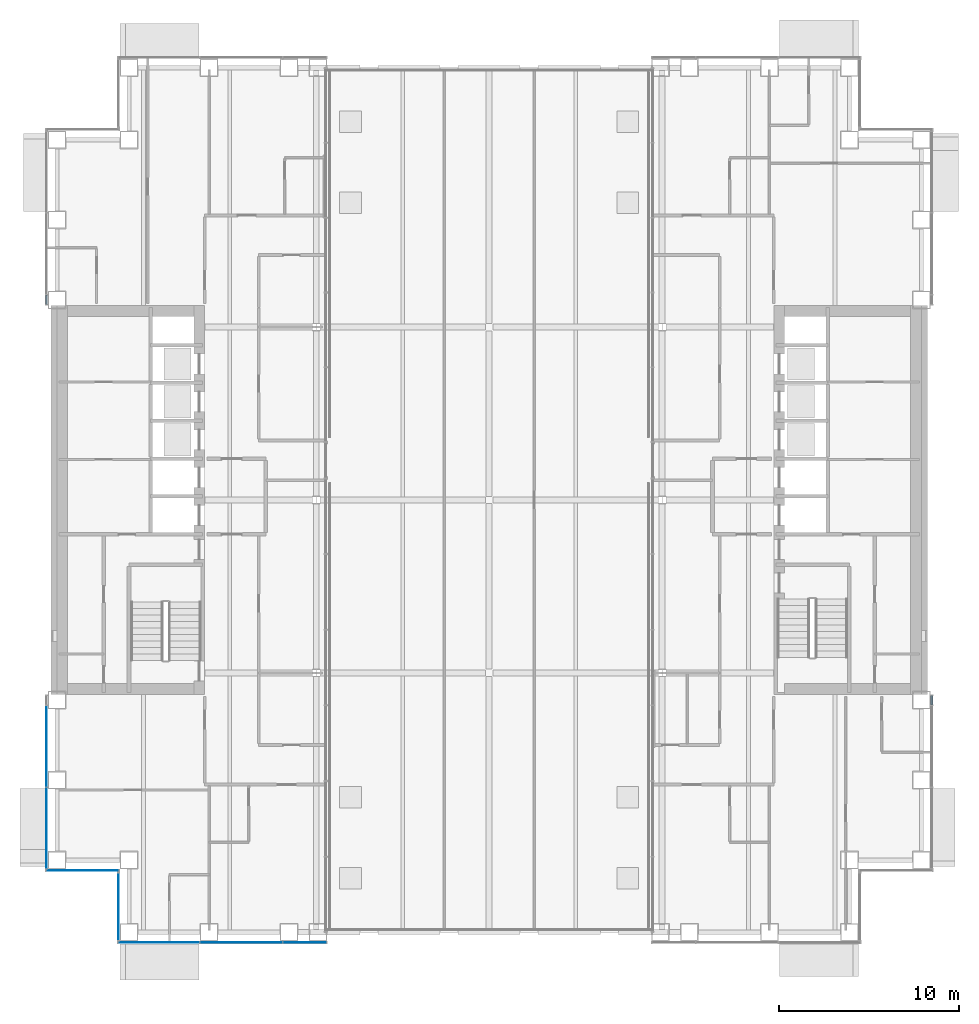
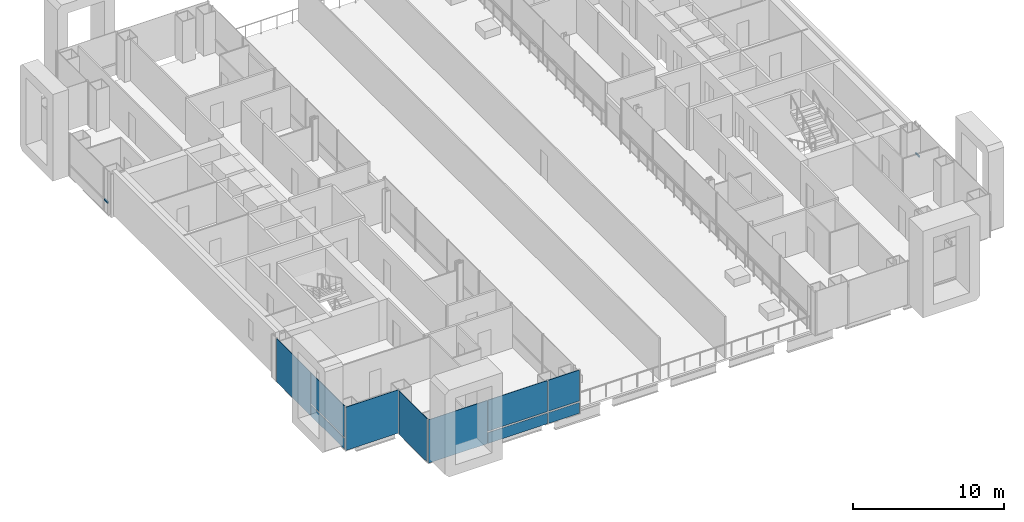
# One storey, part 11 of 24: 10 plates, 2 members, 6 elements without a shape of their own.
"""IFC4 building model written with IfcOpenShell, lengths in metres."""

from ifc_helpers import new_model, si_unit, direction, frame, origin, origin_2d, place, context, subcontext, project, spatial, rectangle, extrude, material, layer, layer_set, material_profile, profile_set, type_object, element, aggregate, save


model = new_model("IFC4")

# Units and contexts
model_context = context("Model", 3, precision=1e-05, world=origin(), true_north=direction((0.0, 1.0)))
body_context = subcontext(model_context, "Body", "Model", "MODEL_VIEW")
ifc_project = project(units=[si_unit("LENGTHUNIT", "METRE"), si_unit("AREAUNIT", "SQUARE_METRE"), si_unit("VOLUMEUNIT", "CUBIC_METRE"), si_unit("PLANEANGLEUNIT", "RADIAN"), si_unit("MASSUNIT", "GRAM", prefix="KILO")], contexts=[model_context])

# Site, building, storey
site_placement = place(None, origin())
site = spatial("IfcSite", under=ifc_project, at=site_placement, CompositionType="ELEMENT")
building_placement = place(site_placement, origin())
building = spatial("IfcBuilding", under=site, at=building_placement, Name="Cobrizo Arcos Hotel Tower", CompositionType="ELEMENT")
storey_placement = place(building_placement, frame((0.0, 0.0, 60.0)))
storey = spatial("IfcBuildingStorey", under=building, at=storey_placement, Name="L13", CompositionType="ELEMENT", Elevation=60.0)

# Curtain wall, member
ifc_material_1 = material(Name="Aluminium 6063-T6 anodised bronze", Category="aluminium")
curtain_wall_type = type_object("IfcCurtainWallType", Name="CW-A guest facade", PredefinedType="NOTDEFINED", material=ifc_material_1)
curtain_wall_1_placement = place(storey_placement, origin())
curtain_wall_1 = element("IfcCurtainWall", 1, at=curtain_wall_1_placement, inside=storey, type_object=curtain_wall_type, Name="CW-A L13 E face", PredefinedType="NOTDEFINED")
ifc_material_profile = material_profile(ifc_material_1, rectangle(XDim=0.10009765625, YDim=0.1201171875, at=origin_2d()), Name="CW-A transom 120x100")
ifc_profile_set = profile_set([ifc_material_profile], Name="Aluminium 6063-T6 anodised bronze")
member_type = type_object("IfcMemberType", Name="CW-A transom 120x100", PredefinedType="USERDEFINED", material=ifc_profile_set)
member_1_placement = place(storey_placement, frame((24.574951171875, -11.35888671875, 0.929931640625), z_axis=(0.0, 1.0, 0.0), x_axis=(-1.0, 0.0, 0.0)))
member_1 = element("IfcMember", 2, at=member_1_placement, type_object=member_type, Name="CW-A transom 599", ObjectType="TRANSOM", PredefinedType="USERDEFINED", context=body_context, shape_type="SweptSolid", body=[
    extrude(rectangle(XDim=0.10009765625, YDim=0.1201171875, at=origin_2d()), origin(), (0.0, 0.0, 1.0), 0.498779296875),
])
aggregate(curtain_wall_1, [member_1])

curtain_wall_2_placement = place(storey_placement, origin())
curtain_wall_2 = element("IfcCurtainWall", 3, at=curtain_wall_2_placement, inside=storey, type_object=curtain_wall_type, Name="CW-A L13 W face", PredefinedType="NOTDEFINED")
member_2_placement = place(storey_placement, frame((-24.574951171875, 11.35888671875, 0.929931640625), z_axis=(0.0, -1.0, 0.0), x_axis=(1.0, 0.0, 0.0)))
member_2 = element("IfcMember", 4, at=member_2_placement, type_object=member_type, Name="CW-A transom 615", ObjectType="TRANSOM", PredefinedType="USERDEFINED", context=body_context, shape_type="SweptSolid", body=[
    extrude(rectangle(XDim=0.10009765625, YDim=0.1201171875, at=origin_2d()), origin(), (0.0, 0.0, 1.0), 0.498779296875),
])
aggregate(curtain_wall_2, [member_2])

# Curtain wall, plates
curtain_wall_3_placement = place(storey_placement, origin())
curtain_wall_3 = element("IfcCurtainWall", 5, at=curtain_wall_3_placement, inside=storey, type_object=curtain_wall_type, Name="CW-A L13 S face", PredefinedType="NOTDEFINED")
ifc_material_2 = material(Name="Glass clear laminated low-e", Category="glass")
ifc_layer_1 = layer(ifc_material_2, 0.0400390625)
ifc_layer_set_1 = layer_set([ifc_layer_1], Name="CW-A glass panel")
plate_type_1 = type_object("IfcPlateType", Name="CW-A glass panel", PredefinedType="CURTAIN_PANEL", material=ifc_layer_set_1)
plate_1_placement = place(storey_placement, frame((-13.7666015625, -24.574951171875, 0.990234375), z_axis=(0.0, 0.0, 1.0), x_axis=(1.0, 0.0, 0.0)))
plate_1 = element("IfcPlate", 6, at=plate_1_placement, type_object=plate_type_1, Name="CW-A glass panel 590", PredefinedType="CURTAIN_PANEL", context=body_context, shape_type="SweptSolid", body=[
    extrude(rectangle(XDim=4.52880859375, YDim=0.0400390625, at=origin_2d()), origin(), (0.0, 0.0, 1.0), 2.510009765625),
])
plate_2_placement = place(storey_placement, frame((-10.251220703125, -24.574951171875, 0.990234375), z_axis=(0.0, 0.0, 1.0), x_axis=(1.0, 0.0, 0.0)))
plate_2 = element("IfcPlate", 7, at=plate_2_placement, type_object=plate_type_1, Name="CW-A glass panel 591", PredefinedType="CURTAIN_PANEL", context=body_context, shape_type="SweptSolid", body=[
    extrude(rectangle(XDim=2.38232421875, YDim=0.0400390625, at=origin_2d()), origin(), (0.0, 0.0, 1.0), 2.510009765625),
])

# Curtain wall, plate
curtain_wall_4_placement = place(storey_placement, origin())
curtain_wall_4 = element("IfcCurtainWall", 8, at=curtain_wall_4_placement, inside=storey, type_object=curtain_wall_type, Name="CW-A L13 W face", PredefinedType="NOTDEFINED")
plate_3_placement = place(storey_placement, frame((-24.574951171875, -18.207275390625, 0.990234375), z_axis=(0.0, 0.0, 1.0), x_axis=(0.0, -1.0, 0.0)))
plate_3 = element("IfcPlate", 9, at=plate_3_placement, type_object=plate_type_1, Name="CW-A glass panel 618", PredefinedType="CURTAIN_PANEL", context=body_context, shape_type="SweptSolid", body=[
    extrude(rectangle(XDim=4.465576171875, YDim=0.0400390625, at=origin_2d()), origin(), (0.0, 0.0, 1.0), 2.510009765625),
])

# Plate
ifc_material_3 = material(Name="Aluminium composite panel pale metal", Category="aluminium")
ifc_layer_2 = layer(ifc_material_3, 0.0400390625)
ifc_layer_set_2 = layer_set([ifc_layer_2], Name="CW-A spandrel panel")
plate_type_2 = type_object("IfcPlateType", Name="CW-A spandrel panel", PredefinedType="CURTAIN_PANEL", material=ifc_layer_set_2)
plate_4_placement = place(storey_placement, frame((-18.340576171875, -24.574951171875, 0.0), z_axis=(0.0, 0.0, 1.0), x_axis=(1.0, 0.0, 0.0)))
plate_4 = element("IfcPlate", 10, at=plate_4_placement, type_object=plate_type_2, Name="CW-A spandrel panel 589", PredefinedType="CURTAIN_PANEL", context=body_context, shape_type="SweptSolid", body=[
    extrude(rectangle(XDim=4.498779296875, YDim=0.0400390625, at=origin_2d()), origin(), (0.0, 0.0, 1.0), 3.5),
])

plate_5_placement = place(storey_placement, frame((-13.7666015625, -24.574951171875, 0.0), z_axis=(0.0, 0.0, 1.0), x_axis=(1.0, 0.0, 0.0)))
plate_5 = element("IfcPlate", 11, at=plate_5_placement, type_object=plate_type_2, Name="CW-A spandrel panel 590", PredefinedType="CURTAIN_PANEL", context=body_context, shape_type="SweptSolid", body=[
    extrude(rectangle(XDim=4.52880859375, YDim=0.0400390625, at=origin_2d()), origin(), (0.0, 0.0, 1.0), 0.8701171875),
])

plate_6_placement = place(storey_placement, frame((-10.251220703125, -24.574951171875, 0.0), z_axis=(0.0, 0.0, 1.0), x_axis=(1.0, 0.0, 0.0)))
plate_6 = element("IfcPlate", 12, at=plate_6_placement, type_object=plate_type_2, Name="CW-A spandrel panel 591", PredefinedType="CURTAIN_PANEL", context=body_context, shape_type="SweptSolid", body=[
    extrude(rectangle(XDim=2.38232421875, YDim=0.0400390625, at=origin_2d()), origin(), (0.0, 0.0, 1.0), 0.8701171875),
])

aggregate(curtain_wall_3, [plate_4, plate_5, plate_1, plate_6, plate_2])

plate_7_placement = place(storey_placement, frame((-24.574951171875, -13.666748046875, 0.0), z_axis=(0.0, 0.0, 1.0), x_axis=(0.0, -1.0, 0.0)))
plate_7 = element("IfcPlate", 13, at=plate_7_placement, type_object=plate_type_2, Name="CW-A spandrel panel 617", PredefinedType="CURTAIN_PANEL", context=body_context, shape_type="SweptSolid", body=[
    extrude(rectangle(XDim=4.49560546875, YDim=0.0400390625, at=origin_2d()), origin(), (0.0, 0.0, 1.0), 3.5),
])

plate_8_placement = place(storey_placement, frame((-24.574951171875, -18.207275390625, 0.0), z_axis=(0.0, 0.0, 1.0), x_axis=(0.0, -1.0, 0.0)))
plate_8 = element("IfcPlate", 14, at=plate_8_placement, type_object=plate_type_2, Name="CW-A spandrel panel 618", PredefinedType="CURTAIN_PANEL", context=body_context, shape_type="SweptSolid", body=[
    extrude(rectangle(XDim=4.465576171875, YDim=0.0400390625, at=origin_2d()), origin(), (0.0, 0.0, 1.0), 0.8701171875),
])

aggregate(curtain_wall_4, [plate_7, plate_8, plate_3])

# Curtain wall, plate
curtain_wall_5_placement = place(storey_placement, origin())
curtain_wall_5 = element("IfcCurtainWall", 15, at=curtain_wall_5_placement, inside=storey, type_object=curtain_wall_type, Name="CW-A L13 S face", PredefinedType="NOTDEFINED")
plate_9_placement = place(storey_placement, frame((-22.574951171875, -20.574951171875, 0.0), z_axis=(0.0, 0.0, 1.0), x_axis=(1.0, 0.0, 0.0)))
plate_9 = element("IfcPlate", 16, at=plate_9_placement, type_object=plate_type_2, Name="CW-A spandrel panel 619", PredefinedType="CURTAIN_PANEL", context=body_context, shape_type="SweptSolid", body=[
    extrude(rectangle(XDim=4.030029296875, YDim=0.0400390625, at=origin_2d()), origin(), (0.0, 0.0, 1.0), 3.5),
])
aggregate(curtain_wall_5, [plate_9])

curtain_wall_6_placement = place(storey_placement, origin())
curtain_wall_6 = element("IfcCurtainWall", 17, at=curtain_wall_6_placement, inside=storey, type_object=curtain_wall_type, Name="CW-A L13 W face", PredefinedType="NOTDEFINED")
plate_10_placement = place(storey_placement, frame((-20.574951171875, -22.574951171875, 0.0), z_axis=(0.0, 0.0, 1.0), x_axis=(0.0, -1.0, 0.0)))
plate_10 = element("IfcPlate", 18, at=plate_10_placement, type_object=plate_type_2, Name="CW-A spandrel panel 620", PredefinedType="CURTAIN_PANEL", context=body_context, shape_type="SweptSolid", body=[
    extrude(rectangle(XDim=3.72998046875, YDim=0.0400390625, at=origin_2d()), origin(), (0.0, 0.0, 1.0), 3.5),
])
aggregate(curtain_wall_6, [plate_10])

save(model, "model.ifc")
